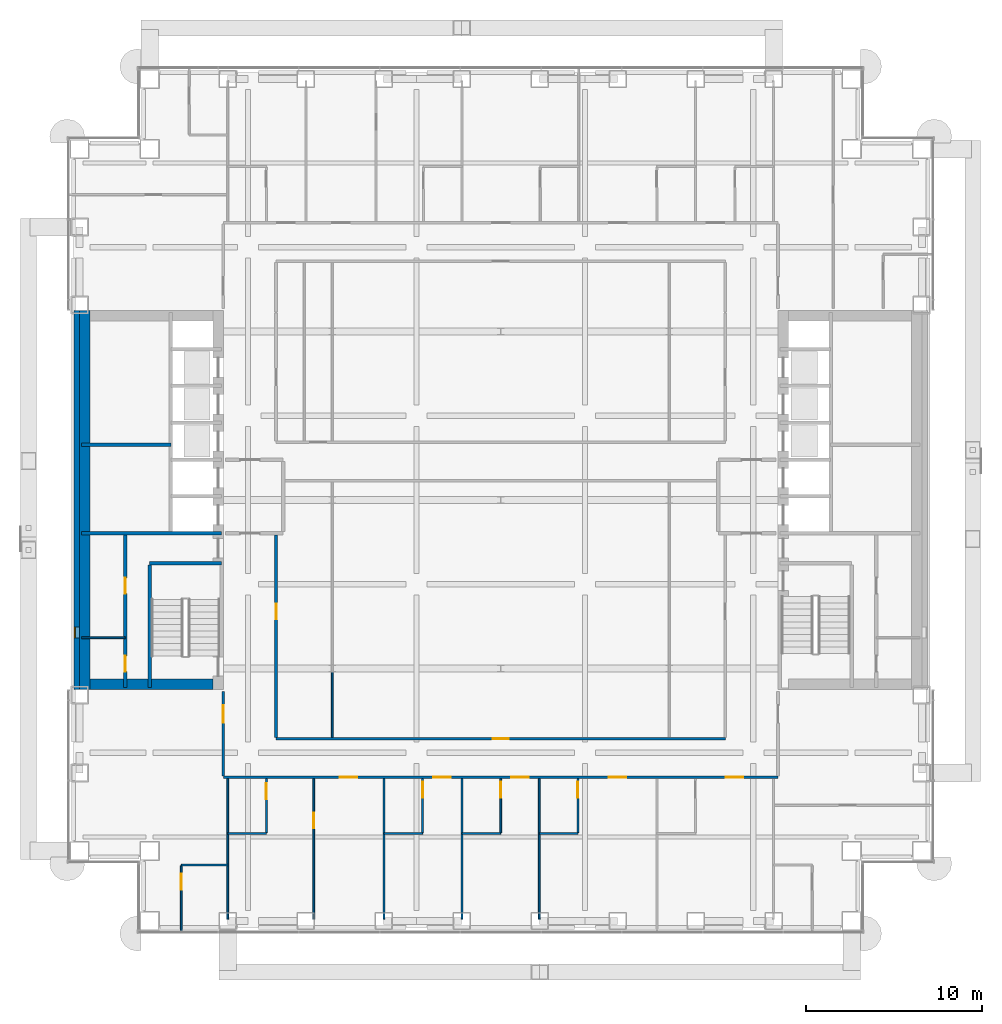
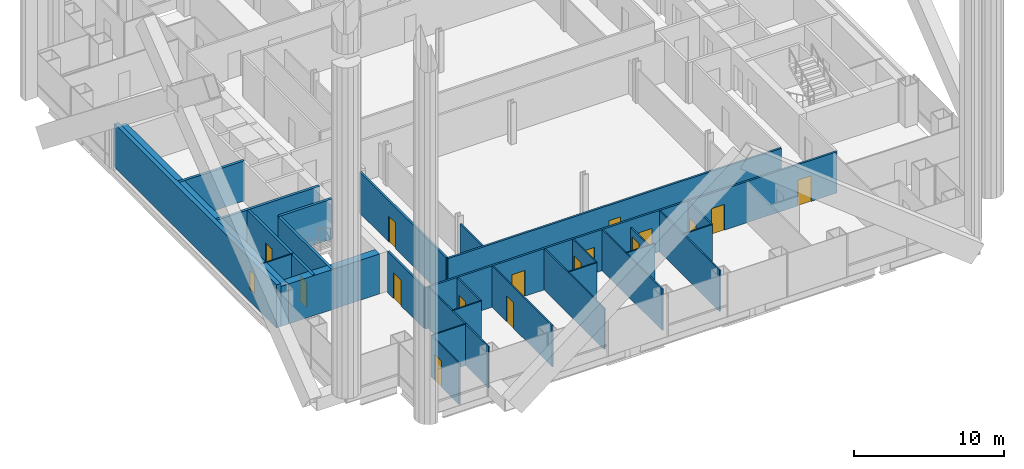
# One storey, part 18 of 28: 29 walls, 16 doors, 1 window, 17 openings.
"""IFC4 building model written with IfcOpenShell, lengths in metres."""

import ifcopenshell
import ifcopenshell.guid

model = None  # the IFC model being written
_history = None  # IfcOwnerHistory: only IFC2X3 demands one
_inside = {}  # id of a spatial element -> (the spatial element, [elements in it])
_under = {}  # id of a project, library or spatial element -> (it, [spatial elements below it])
_declared = {}  # id of a project -> (the project, [libraries it declares])
_typed = {}  # id of a type object -> (the type object, [elements of that type])
_made_of = {}  # id of a material, layer set ... -> (it, [elements and type objects made of it])


def new_model(schema):
    """Start an empty IFC model of exactly this schema.

    Asked for "IFC4X3", IfcOpenShell would pick the latest addendum, in which some entities
    have other attributes; the version numbers below select the first issue.
    IFC2X3 requires an IfcOwnerHistory on every rooted entity: one is made here for all.
    """
    global model, _history
    if schema == "IFC4X3":
        model = ifcopenshell.file(schema_version=(4, 3, 0, 0))
    else:
        model = ifcopenshell.file(schema=schema)
    _inside.clear()
    _under.clear()
    _declared.clear()
    _typed.clear()
    _made_of.clear()
    _history = None
    if model.schema == "IFC2X3":
        org = make("IfcOrganization", Name="unknown")
        user = make(
            "IfcPersonAndOrganization",
            ThePerson=make("IfcPerson", FamilyName="unknown"),
            TheOrganization=org,
        )
        app = make(
            "IfcApplication",
            ApplicationDeveloper=org,
            Version="unknown",
            ApplicationFullName="unknown",
            ApplicationIdentifier="unknown",
        )
        _history = make(
            "IfcOwnerHistory",
            OwningUser=user,
            OwningApplication=app,
            ChangeAction="ADDED",
            CreationDate=0,
        )
    return model


def make(cls, **values):
    """One entity of the class cls with the attributes given. An attribute that is None is left unset."""
    return model.create_entity(
        cls, **{name: value for name, value in values.items() if value is not None}
    )


def rooted(cls, **values):
    """An entity with a GlobalId (a new one), such as an element, a storey or a relation."""
    return make(cls, GlobalId=ifcopenshell.guid.new(), OwnerHistory=_history, **values)


def si_unit(unit_type, name, prefix=None):
    """IfcSIUnit, for example si_unit("LENGTHUNIT", "METRE", prefix="MILLI")."""
    return make("IfcSIUnit", UnitType=unit_type, Prefix=prefix, Name=name)


def assignment(units):
    """IfcUnitAssignment: the units of a project."""
    return None if units is None else make("IfcUnitAssignment", Units=units)


def point(xyz):
    """IfcCartesianPoint."""
    return None if xyz is None else make("IfcCartesianPoint", Coordinates=xyz)


def direction(xyz):
    """IfcDirection."""
    return None if xyz is None else make("IfcDirection", DirectionRatios=xyz)


def frame(location, z_axis=None, x_axis=None):
    """IfcAxis2Placement3D, a coordinate frame: its origin and axes. An axis left out is left unset."""
    return make(
        "IfcAxis2Placement3D",
        Location=point(location),
        Axis=direction(z_axis),
        RefDirection=direction(x_axis),
    )


def frame_2d(location, x_axis=None):
    """IfcAxis2Placement2D, a coordinate frame in the plane: its origin and x axis."""
    return make(
        "IfcAxis2Placement2D", Location=point(location), RefDirection=direction(x_axis)
    )


def origin():
    """The frame at (0, 0, 0) with its axes left unset."""
    return frame((0.0, 0.0, 0.0))


def place(relative_to, where):
    """IfcLocalPlacement: puts the frame where relative to a parent placement (None: the world)."""
    return make(
        "IfcLocalPlacement", PlacementRelTo=relative_to, RelativePlacement=where
    )


def context(
    kind, dimensions, precision=None, world=None, true_north=None, identifier=None
):
    """IfcGeometricRepresentationContext, for example the 3D "Model" context."""
    return make(
        "IfcGeometricRepresentationContext",
        ContextIdentifier=identifier,
        ContextType=kind,
        CoordinateSpaceDimension=dimensions,
        Precision=precision,
        WorldCoordinateSystem=world,
        TrueNorth=true_north,
    )


def subcontext(parent, identifier, kind, view, scale=None):
    """IfcGeometricRepresentationSubContext, for example "Body" below "Model"."""
    return make(
        "IfcGeometricRepresentationSubContext",
        ContextIdentifier=identifier,
        ContextType=kind,
        ParentContext=parent,
        TargetScale=scale,
        TargetView=view,
    )


def project(units=None, contexts=None):
    """IfcProject with its units and contexts."""
    return rooted(
        "IfcProject",
        Name="project",
        RepresentationContexts=contexts,
        UnitsInContext=assignment(units),
    )


def spatial(cls, under=None, at=None, **own):
    """A site, building, storey or space (cls), placed at a placement, below another one or the project."""
    s = rooted(cls, ObjectPlacement=at, **own)
    if under is not None:
        _under.setdefault(under.id(), (under, []))[1].append(s)
    return s


def profile(cls, at=None, kind="AREA", **sizes):
    """A parametric profile (cls). Its sizes go by their IFC names, for example OverallWidth=200.0."""
    return make(cls, ProfileType=kind, Position=at, **sizes)


def rectangle(**sizes):
    """IfcRectangleProfileDef."""
    return profile("IfcRectangleProfileDef", **sizes)


def extrude(swept, where, along, depth):
    """IfcExtrudedAreaSolid: the profile swept, set in the frame where, extruded along a direction by depth."""
    return make(
        "IfcExtrudedAreaSolid",
        SweptArea=swept,
        Position=where,
        ExtrudedDirection=direction(along),
        Depth=depth,
    )


def shape(context_of_items, identifier, shape_type, items):
    """IfcShapeRepresentation: the items that make up one representation, for example the "Body"."""
    return make(
        "IfcShapeRepresentation",
        ContextOfItems=context_of_items,
        RepresentationIdentifier=identifier,
        RepresentationType=shape_type,
        Items=items,
    )


def material(Name=None, Category=None):
    """IfcMaterial."""
    return make("IfcMaterial", Name=Name, Category=Category)


def layer(
    of_material, thickness, ventilated=None, Name=None, Category=None, Priority=None
):
    """IfcMaterialLayer: one layer of a wall or slab, of a material (None: an air gap)."""
    return make(
        "IfcMaterialLayer",
        Material=of_material,
        LayerThickness=thickness,
        IsVentilated=ventilated,
        Name=Name,
        Category=Category,
        Priority=Priority,
    )


def layer_set(layers, Name=None):
    """IfcMaterialLayerSet."""
    return make("IfcMaterialLayerSet", MaterialLayers=layers, LayerSetName=Name)


def made_of(thing, what):
    """Note that an element or type object is made of a material, layer set ...; save() writes the relation."""
    if what is not None:
        _made_of.setdefault(what.id(), (what, []))[1].append(thing)
    return thing


def type_object(cls, material=None, **own):
    """A type object (cls), such as IfcWallType, which elements share."""
    return made_of(rooted(cls, **own), material)


def element(
    cls,
    number,
    at=None,
    inside=None,
    cuts=None,
    type_object=None,
    material=None,
    context=None,
    identifier="Body",
    shape_type=None,
    held_by="IfcProductDefinitionShape",
    body=None,
    shapes=None,
    **own,
):
    """One element of the class cls, such as IfcWall. Its Tag is "e" and its number.

    at: its placement. inside: the storey or other place that contains it. cuts: it is an
    opening in that element (IfcRelVoidsElement). A single representation is given by context,
    identifier, shape_type and body (its items); several are given by shapes. held_by: the class
    of the entity that holds the representations. save() writes the other relations.
    """
    e = rooted(cls, Tag="e%d" % number, ObjectPlacement=at, **own)
    if body is not None:
        shapes = [shape(context, identifier, shape_type, body)]
    if shapes is not None:
        e.Representation = make(held_by, Representations=shapes)
    if inside is not None:
        _inside.setdefault(inside.id(), (inside, []))[1].append(e)
    if cuts is not None:
        rooted(
            "IfcRelVoidsElement", RelatingBuildingElement=cuts, RelatedOpeningElement=e
        )
    if type_object is not None:
        _typed.setdefault(type_object.id(), (type_object, []))[1].append(e)
    return made_of(e, material)


def fill(opening, filler):
    """IfcRelFillsElement: the door or window that sits in an opening."""
    return rooted(
        "IfcRelFillsElement",
        RelatingOpeningElement=opening,
        RelatedBuildingElement=filler,
    )


def aggregate(whole, parts):
    """IfcRelAggregates: a whole, such as a stair, and the parts it consists of."""
    return rooted("IfcRelAggregates", RelatingObject=whole, RelatedObjects=parts)


def save(model, path):
    """Write the relations noted so far, then the file.

    IfcRelAggregates (storeys below a building ...), IfcRelContainedInSpatialStructure (elements
    in a storey), IfcRelDefinesByType, IfcRelAssociatesMaterial and IfcRelDeclares: one each for
    every whole, place, type object, material and project.
    """
    for whole, parts in _under.values():
        aggregate(whole, parts)
    for where, things in _inside.values():
        rooted(
            "IfcRelContainedInSpatialStructure",
            RelatedElements=things,
            RelatingStructure=where,
        )
    for kind, things in _typed.values():
        rooted("IfcRelDefinesByType", RelatedObjects=things, RelatingType=kind)
    for what, things in _made_of.values():
        rooted("IfcRelAssociatesMaterial", RelatedObjects=things, RelatingMaterial=what)
    for by, libraries in _declared.values():
        rooted("IfcRelDeclares", RelatingContext=by, RelatedDefinitions=libraries)
    model.write(path)


model = new_model("IFC4")

# Units and contexts
model_context = context("Model", 3, precision=1e-05, world=origin(), true_north=direction((0.0, 1.0)))
body_context = subcontext(model_context, "Body", "Model", "MODEL_VIEW")
ifc_project = project(units=[si_unit("LENGTHUNIT", "METRE"), si_unit("AREAUNIT", "SQUARE_METRE"), si_unit("VOLUMEUNIT", "CUBIC_METRE"), si_unit("PLANEANGLEUNIT", "RADIAN"), si_unit("MASSUNIT", "GRAM", prefix="KILO")], contexts=[model_context])

# Site, building, storey
site_placement = place(None, origin())
site = spatial("IfcSite", under=ifc_project, at=site_placement, CompositionType="ELEMENT")
building_placement = place(site_placement, origin())
building = spatial("IfcBuilding", under=site, at=building_placement, Name="Cobrizo Arcos Hotel Tower", CompositionType="ELEMENT")
storey_placement = place(building_placement, frame((0.0, 0.0, 39.0)))
storey = spatial("IfcBuildingStorey", under=building, at=storey_placement, Name="L07", CompositionType="ELEMENT", Elevation=39.0)

# Wall, openings, doors
ifc_material_1 = material(Name="Gypsum board partition")
ifc_layer_1 = layer(ifc_material_1, 0.14990234375)
ifc_layer_set_1 = layer_set([ifc_layer_1], Name="Corridor wall EI 60 150")
wall_type_1 = type_object("IfcWallType", Name="Corridor wall EI 60 150", PredefinedType="PARTITIONING", material=ifc_layer_set_1)
wall_1_placement = place(storey_placement, frame((-15.800048828125, -15.800048828125, 0.0), z_axis=(0.0, 0.0, 1.0), x_axis=(1.0, 0.0, 0.0)))
wall_1 = element("IfcWall", 1, at=wall_1_placement, inside=storey, type_object=wall_type_1, Name="Partition 009", PredefinedType="PARTITIONING", context=body_context, shape_type="SweptSolid", body=[
    extrude(rectangle(XDim=31.60009765625, YDim=0.14990234375, at=frame_2d((15.800048828125, 0.0))), origin(), (0.0, 0.0, 1.0), 3.35009765625),
])
opening_1_placement = place(wall_1_placement, frame((6.633056640625, 0.0, 0.0)))
opening_1 = element("IfcOpeningElement", 2, at=opening_1_placement, cuts=wall_1, Name="Opening GD-06", PredefinedType="OPENING", context=body_context, shape_type="SweptSolid", body=[
    extrude(rectangle(XDim=1.0, YDim=2.10009765625, at=frame_2d((0.5, 1.050048828125))), frame((0.0, 0.0869140625, 0.0), z_axis=(0.0, -1.0, 0.0), x_axis=(1.0, 0.0, 0.0)), (0.0, 0.0, 1.0), 0.173828125),
])
opening_2_placement = place(wall_1_placement, frame((11.9560546875, 0.0, 0.0)))
opening_2 = element("IfcOpeningElement", 3, at=opening_2_placement, cuts=wall_1, Name="Opening GD-07", PredefinedType="OPENING", context=body_context, shape_type="SweptSolid", body=[
    extrude(rectangle(XDim=1.0, YDim=2.10009765625, at=frame_2d((0.5, 1.050048828125))), frame((0.0, 0.0869140625, 0.0), z_axis=(0.0, -1.0, 0.0), x_axis=(1.0, 0.0, 0.0)), (0.0, 0.0, 1.0), 0.173828125),
])
opening_3_placement = place(wall_1_placement, frame((16.39990234375, 0.0, 0.0)))
opening_3 = element("IfcOpeningElement", 4, at=opening_3_placement, cuts=wall_1, Name="Opening GD-08", PredefinedType="OPENING", context=body_context, shape_type="SweptSolid", body=[
    extrude(rectangle(XDim=1.0, YDim=2.10009765625, at=frame_2d((0.5, 1.050048828125))), frame((0.0, 0.0869140625, 0.0), z_axis=(0.0, -1.0, 0.0), x_axis=(1.0, 0.0, 0.0)), (0.0, 0.0, 1.0), 0.173828125),
])
opening_4_placement = place(wall_1_placement, frame((21.9560546875, 0.0, 0.0)))
opening_4 = element("IfcOpeningElement", 5, at=opening_4_placement, cuts=wall_1, Name="Opening GD-09", PredefinedType="OPENING", context=body_context, shape_type="SweptSolid", body=[
    extrude(rectangle(XDim=1.0, YDim=2.10009765625, at=frame_2d((0.5, 1.050048828125))), frame((0.0, 0.0869140625, 0.0), z_axis=(0.0, -1.0, 0.0), x_axis=(1.0, 0.0, 0.0)), (0.0, 0.0, 1.0), 0.173828125),
])
opening_5_placement = place(wall_1_placement, frame((28.623046875, 0.0, 0.0)))
opening_5 = element("IfcOpeningElement", 6, at=opening_5_placement, cuts=wall_1, Name="Opening GD-10", PredefinedType="OPENING", context=body_context, shape_type="SweptSolid", body=[
    extrude(rectangle(XDim=1.0, YDim=2.10009765625, at=frame_2d((0.5, 1.050048828125))), frame((0.0, 0.0869140625, 0.0), z_axis=(0.0, -1.0, 0.0), x_axis=(1.0, 0.0, 0.0)), (0.0, 0.0, 1.0), 0.173828125),
])
ifc_material_2 = material(Name="Timber door leaf", Category="wood")
door_type_1 = type_object("IfcDoorType", Name="Guest room door FD30S 1000x2100", OperationType="SINGLE_SWING_LEFT", PredefinedType="DOOR", material=ifc_material_2)
door_1_placement = place(opening_1_placement, origin())
door_1 = element("IfcDoor", 7, at=door_1_placement, inside=storey, type_object=door_type_1, Name="Door GD-06", OperationType="SINGLE_SWING_LEFT", OverallHeight=2.10009765625, OverallWidth=1.0, PredefinedType="DOOR", context=body_context, shape_type="SweptSolid", body=[
    extrude(rectangle(XDim=1.0, YDim=2.10009765625, at=frame_2d((0.5, 1.050048828125))), frame((0.0, 0.02490234375, 0.0), z_axis=(0.0, -1.0, 0.0), x_axis=(1.0, 0.0, 0.0)), (0.0, 0.0, 1.0), 0.050048828125),
])
fill(opening_1, door_1)
door_2_placement = place(opening_2_placement, origin())
door_2 = element("IfcDoor", 8, at=door_2_placement, inside=storey, type_object=door_type_1, Name="Door GD-07", OperationType="SINGLE_SWING_LEFT", OverallHeight=2.10009765625, OverallWidth=1.0, PredefinedType="DOOR", context=body_context, shape_type="SweptSolid", body=[
    extrude(rectangle(XDim=1.0, YDim=2.10009765625, at=frame_2d((0.5, 1.050048828125))), frame((0.0, 0.02490234375, 0.0), z_axis=(0.0, -1.0, 0.0), x_axis=(1.0, 0.0, 0.0)), (0.0, 0.0, 1.0), 0.050048828125),
])
fill(opening_2, door_2)
door_3_placement = place(opening_3_placement, origin())
door_3 = element("IfcDoor", 9, at=door_3_placement, inside=storey, type_object=door_type_1, Name="Door GD-08", OperationType="SINGLE_SWING_LEFT", OverallHeight=2.10009765625, OverallWidth=1.0, PredefinedType="DOOR", context=body_context, shape_type="SweptSolid", body=[
    extrude(rectangle(XDim=1.0, YDim=2.10009765625, at=frame_2d((0.5, 1.050048828125))), frame((0.0, 0.02490234375, 0.0), z_axis=(0.0, -1.0, 0.0), x_axis=(1.0, 0.0, 0.0)), (0.0, 0.0, 1.0), 0.050048828125),
])
fill(opening_3, door_3)
door_4_placement = place(opening_4_placement, origin())
door_4 = element("IfcDoor", 10, at=door_4_placement, inside=storey, type_object=door_type_1, Name="Door GD-09", OperationType="SINGLE_SWING_RIGHT", OverallHeight=2.10009765625, OverallWidth=1.0, PredefinedType="DOOR", context=body_context, shape_type="SweptSolid", body=[
    extrude(rectangle(XDim=1.0, YDim=2.10009765625, at=frame_2d((0.5, 1.050048828125))), frame((0.0, 0.02490234375, 0.0), z_axis=(0.0, -1.0, 0.0), x_axis=(1.0, 0.0, 0.0)), (0.0, 0.0, 1.0), 0.050048828125),
])
fill(opening_4, door_4)
door_5_placement = place(opening_5_placement, origin())
door_5 = element("IfcDoor", 11, at=door_5_placement, inside=storey, type_object=door_type_1, Name="Door GD-10", OperationType="SINGLE_SWING_LEFT", OverallHeight=2.10009765625, OverallWidth=1.0, PredefinedType="DOOR", context=body_context, shape_type="SweptSolid", body=[
    extrude(rectangle(XDim=1.0, YDim=2.10009765625, at=frame_2d((0.5, 1.050048828125))), frame((0.0, 0.02490234375, 0.0), z_axis=(0.0, -1.0, 0.0), x_axis=(1.0, 0.0, 0.0)), (0.0, 0.0, 1.0), 0.050048828125),
])
fill(opening_5, door_5)

# Wall, opening, door
wall_2_placement = place(storey_placement, frame((-12.800048828125, -13.60009765625, 0.0), z_axis=(0.0, 0.0, 1.0), x_axis=(1.0, 0.0, 0.0)))
wall_2 = element("IfcWall", 12, at=wall_2_placement, inside=storey, type_object=wall_type_1, Name="Partition 010", PredefinedType="PARTITIONING", context=body_context, shape_type="SweptSolid", body=[
    extrude(rectangle(XDim=25.60009765625, YDim=0.14990234375, at=frame_2d((12.800048828125, 0.0))), origin(), (0.0, 0.0, 1.0), 3.35009765625),
])
opening_6_placement = place(wall_2_placement, frame((12.35009765625, 0.0, 0.0)))
opening_6 = element("IfcOpeningElement", 13, at=opening_6_placement, cuts=wall_2, Name="Opening RD-13", PredefinedType="OPENING", context=body_context, shape_type="SweptSolid", body=[
    extrude(rectangle(XDim=0.89990234375, YDim=2.10009765625, at=frame_2d((0.449951171875, 1.050048828125))), frame((0.0, 0.0869140625, 0.0), z_axis=(0.0, -1.0, 0.0), x_axis=(1.0, 0.0, 0.0)), (0.0, 0.0, 1.0), 0.173828125),
])
door_type_2 = type_object("IfcDoorType", Name="Room door FD30 900x2100", OperationType="SINGLE_SWING_LEFT", PredefinedType="DOOR", material=ifc_material_2)
door_6_placement = place(opening_6_placement, origin())
door_6 = element("IfcDoor", 14, at=door_6_placement, inside=storey, type_object=door_type_2, Name="Door RD-13", OperationType="SINGLE_SWING_LEFT", OverallHeight=2.10009765625, OverallWidth=0.89990234375, PredefinedType="DOOR", context=body_context, shape_type="SweptSolid", body=[
    extrude(rectangle(XDim=0.89990234375, YDim=2.10009765625, at=frame_2d((0.449951171875, 1.050048828125))), frame((0.0, 0.02490234375, 0.0), z_axis=(0.0, -1.0, 0.0), x_axis=(1.0, 0.0, 0.0)), (0.0, 0.0, 1.0), 0.050048828125),
])
fill(opening_6, door_6)

wall_3_placement = place(storey_placement, frame((-15.800048828125, -15.72509765625, 0.0), z_axis=(0.0, 0.0, 1.0), x_axis=(0.0, 1.0, 0.0)))
wall_3 = element("IfcWall", 15, at=wall_3_placement, inside=storey, type_object=wall_type_1, Name="Partition 050", PredefinedType="PARTITIONING", context=body_context, shape_type="SweptSolid", body=[
    extrude(rectangle(XDim=4.80517578125, YDim=0.14990234375, at=frame_2d((2.402587890625, 0.0))), origin(), (0.0, 0.0, 1.0), 3.35009765625),
])
opening_7_placement = place(wall_3_placement, frame((3.02490234375, 0.0, 0.0)))
opening_7 = element("IfcOpeningElement", 16, at=opening_7_placement, cuts=wall_3, Name="Opening GD-11", PredefinedType="OPENING", context=body_context, shape_type="SweptSolid", body=[
    extrude(rectangle(XDim=1.0, YDim=2.10009765625, at=frame_2d((0.5, 1.050048828125))), frame((0.0, 0.0869140625, 0.0), z_axis=(0.0, -1.0, 0.0), x_axis=(1.0, 0.0, 0.0)), (0.0, 0.0, 1.0), 0.173828125),
])
door_7_placement = place(opening_7_placement, origin())
door_7 = element("IfcDoor", 17, at=door_7_placement, inside=storey, type_object=door_type_1, Name="Door GD-11", OperationType="SINGLE_SWING_RIGHT", OverallHeight=2.10009765625, OverallWidth=1.0, PredefinedType="DOOR", context=body_context, shape_type="SweptSolid", body=[
    extrude(rectangle(XDim=1.0, YDim=2.10009765625, at=frame_2d((0.5, 1.050048828125))), frame((0.0, 0.02490234375, 0.0), z_axis=(0.0, -1.0, 0.0), x_axis=(1.0, 0.0, 0.0)), (0.0, 0.0, 1.0), 0.050048828125),
])
fill(opening_7, door_7)

wall_4_placement = place(storey_placement, frame((-12.800048828125, -13.52490234375, 0.0), z_axis=(0.0, 0.0, 1.0), x_axis=(0.0, 1.0, 0.0)))
wall_4 = element("IfcWall", 18, at=wall_4_placement, inside=storey, type_object=wall_type_1, Name="Partition 056", PredefinedType="PARTITIONING", context=body_context, shape_type="SweptSolid", body=[
    extrude(rectangle(XDim=11.52490234375, YDim=0.14990234375, at=frame_2d((5.762451171875, 0.0))), origin(), (0.0, 0.0, 1.0), 3.35009765625),
])
opening_8_placement = place(wall_4_placement, frame((6.72509765625, 0.0, 0.0)))
opening_8 = element("IfcOpeningElement", 19, at=opening_8_placement, cuts=wall_4, Name="Opening RD-10", PredefinedType="OPENING", context=body_context, shape_type="SweptSolid", body=[
    extrude(rectangle(XDim=0.89990234375, YDim=2.10009765625, at=frame_2d((0.449951171875, 1.050048828125))), frame((0.0, 0.0869140625, 0.0), z_axis=(0.0, -1.0, 0.0), x_axis=(1.0, 0.0, 0.0)), (0.0, 0.0, 1.0), 0.173828125),
])
door_8_placement = place(opening_8_placement, origin())
door_8 = element("IfcDoor", 20, at=door_8_placement, inside=storey, type_object=door_type_2, Name="Door RD-10", OperationType="SINGLE_SWING_RIGHT", OverallHeight=2.10009765625, OverallWidth=0.89990234375, PredefinedType="DOOR", context=body_context, shape_type="SweptSolid", body=[
    extrude(rectangle(XDim=0.89990234375, YDim=2.10009765625, at=frame_2d((0.449951171875, 1.050048828125))), frame((0.0, 0.02490234375, 0.0), z_axis=(0.0, -1.0, 0.0), x_axis=(1.0, 0.0, 0.0)), (0.0, 0.0, 1.0), 0.050048828125),
])
fill(opening_8, door_8)

# Wall, opening, window
ifc_material_3 = material(Name="Aluminium composite panel pale metal", Category="aluminium")
ifc_layer_2 = layer(ifc_material_3, 0.324951171875)
ifc_layer_set_2 = layer_set([ifc_layer_2], Name="EW-1 insulated panel wall 325")
wall_type_2 = type_object("IfcWallType", Name="EW-1 insulated panel wall 325", PredefinedType="SOLIDWALL", material=ifc_layer_set_2)
wall_5_placement = place(storey_placement, frame((-24.16259765625, 10.800048828125, 0.0), z_axis=(0.0, 0.0, 1.0), x_axis=(0.0, -1.0, 0.0)))
wall_5 = element("IfcWall", 21, at=wall_5_placement, inside=storey, type_object=wall_type_2, Name="Core face wall L07 W", PredefinedType="SOLIDWALL", context=body_context, shape_type="SweptSolid", body=[
    extrude(rectangle(XDim=21.60009765625, YDim=0.324951171875, at=frame_2d((10.800048828125, 0.0))), origin(), (0.0, 0.0, 1.0), 3.5),
])
opening_9_placement = place(wall_5_placement, frame((18.050048828125, 0.0, 1.0)))
opening_9 = element("IfcOpeningElement", 22, at=opening_9_placement, cuts=wall_5, Name="Opening W-10", PredefinedType="OPENING", context=body_context, shape_type="SweptSolid", body=[
    extrude(rectangle(XDim=0.60009765625, YDim=1.5, at=frame_2d((0.300048828125, 0.75))), frame((0.0, 0.174560546875, 0.0), z_axis=(0.0, -1.0, 0.0), x_axis=(1.0, 0.0, 0.0)), (0.0, 0.0, 1.0), 0.348876953125),
])
ifc_material_4 = material(Name="Aluminium 6063-T6 and clear laminated glass", Category="aluminium")
window_type = type_object("IfcWindowType", Name="W-C1 core stair slot window 600x1500", PartitioningType="SINGLE_PANEL", PredefinedType="WINDOW", material=ifc_material_4)
window_placement = place(opening_9_placement, origin())
window = element("IfcWindow", 23, at=window_placement, inside=storey, type_object=window_type, Name="Core face wall L07 W window W-10", OverallHeight=1.5, OverallWidth=0.60009765625, PartitioningType="SINGLE_PANEL", PredefinedType="WINDOW", context=body_context, shape_type="SweptSolid", body=[
    extrude(rectangle(XDim=0.60009765625, YDim=1.5, at=frame_2d((0.300048828125, 0.75))), frame((0.0, -0.072509765625, 0.0), z_axis=(0.0, -1.0, 0.0), x_axis=(1.0, 0.0, 0.0)), (0.0, 0.0, 1.0), 0.06005859375),
])
fill(opening_9, window)

# Walls
ifc_layer_3 = layer(ifc_material_1, 0.10009765625)
ifc_layer_set_3 = layer_set([ifc_layer_3], Name="Partition EI 30 100")
wall_type_3 = type_object("IfcWallType", Name="Partition EI 30 100", PredefinedType="PARTITIONING", material=ifc_layer_set_3)
wall_6_placement = place(storey_placement, frame((-18.199951171875, -20.800048828125, 0.0), z_axis=(0.0, 0.0, 1.0), x_axis=(1.0, 0.0, 0.0)))
element("IfcWall", 24, at=wall_6_placement, inside=storey, type_object=wall_type_3, Name="Partition 001", PredefinedType="PARTITIONING", context=body_context, shape_type="SweptSolid", body=[
    extrude(rectangle(XDim=2.64990234375, YDim=0.10009765625, at=frame_2d((1.324951171875, 0.0))), origin(), (0.0, 0.0, 1.0), 3.35009765625),
])
for number, where, z_axis, x_axis, name in (
    (25, (-15.550048828125, -19.0, 0.0), (0.0, 0.0, 1.0), (1.0, 0.0, 0.0), "Partition 003"),
    (26, (-6.64990234375, -19.0, 0.0), (0.0, 0.0, 1.0), (1.0, 0.0, 0.0), "Partition 004"),
    (27, (-2.199951171875, -19.0, 0.0), (0.0, 0.0, 1.0), (1.0, 0.0, 0.0), "Partition 005"),
    (28, (2.199951171875, -19.0, 0.0), (0.0, 0.0, 1.0), (1.0, 0.0, 0.0), "Partition 006"),
):
    element("IfcWall", number, at=place(storey_placement, frame(where, z_axis=z_axis, x_axis=x_axis)), inside=storey, type_object=wall_type_3, Name=name, PredefinedType="PARTITIONING", context=body_context, shape_type="SweptSolid", body=[
        extrude(rectangle(XDim=2.199951171875, YDim=0.10009765625, at=frame_2d((1.10009765625, 0.0))), origin(), (0.0, 0.0, 1.0), 3.35009765625),
    ])
wall_7_placement = place(storey_placement, frame((-23.8798828125, -7.85009765625, 0.0), z_axis=(0.0, 0.0, 1.0), x_axis=(1.0, 0.0, 0.0)))
element("IfcWall", 29, at=wall_7_placement, inside=storey, type_object=wall_type_3, Name="Partition 011", PredefinedType="PARTITIONING", context=body_context, shape_type="SweptSolid", body=[
    extrude(rectangle(XDim=2.47998046875, YDim=0.10009765625, at=frame_2d((1.239990234375, 0.0))), origin(), (0.0, 0.0, 1.0), 3.25),
])

# Wall, opening, door
wall_8_placement = place(storey_placement, frame((-18.199951171875, -24.580078125, 0.0), z_axis=(0.0, 0.0, 1.0), x_axis=(0.0, 1.0, 0.0)))
wall_8 = element("IfcWall", 30, at=wall_8_placement, inside=storey, type_object=wall_type_3, Name="Partition 048", PredefinedType="PARTITIONING", context=body_context, shape_type="SweptSolid", body=[
    extrude(rectangle(XDim=3.72998046875, YDim=0.10009765625, at=frame_2d((1.864990234375, 0.0))), origin(), (0.0, 0.0, 1.0), 3.35009765625),
])
opening_10_placement = place(wall_8_placement, frame((2.3701171875, 0.0, 0.0)))
opening_10 = element("IfcOpeningElement", 31, at=opening_10_placement, cuts=wall_8, Name="Opening ED-12", PredefinedType="OPENING", context=body_context, shape_type="SweptSolid", body=[
    extrude(rectangle(XDim=0.89990234375, YDim=2.10009765625, at=frame_2d((0.449951171875, 1.050048828125))), frame((0.0, 0.06201171875, 0.0), z_axis=(0.0, -1.0, 0.0), x_axis=(1.0, 0.0, 0.0)), (0.0, 0.0, 1.0), 0.1240234375),
])
door_type_3 = type_object("IfcDoorType", Name="En-suite door 900x2100", OperationType="SINGLE_SWING_LEFT", PredefinedType="DOOR", material=ifc_material_2)
door_9_placement = place(opening_10_placement, origin())
door_9 = element("IfcDoor", 32, at=door_9_placement, inside=storey, type_object=door_type_3, Name="Door ED-12", OperationType="SINGLE_SWING_LEFT", OverallHeight=2.10009765625, OverallWidth=0.89990234375, PredefinedType="DOOR", context=body_context, shape_type="SweptSolid", body=[
    extrude(rectangle(XDim=0.89990234375, YDim=2.10009765625, at=frame_2d((0.449951171875, 1.050048828125))), frame((0.0, 0.02490234375, 0.0), z_axis=(0.0, -1.0, 0.0), x_axis=(1.0, 0.0, 0.0)), (0.0, 0.0, 1.0), 0.050048828125),
])
fill(opening_10, door_9)

# Wall
wall_9_placement = place(storey_placement, frame((-15.550048828125, -23.8798828125, 0.0), z_axis=(0.0, 0.0, 1.0), x_axis=(0.0, 1.0, 0.0)))
element("IfcWall", 33, at=wall_9_placement, inside=storey, type_object=wall_type_3, Name="Partition 052", PredefinedType="PARTITIONING", context=body_context, shape_type="SweptSolid", body=[
    extrude(rectangle(XDim=8.0048828125, YDim=0.10009765625, at=frame_2d((4.00244140625, 0.0))), origin(), (0.0, 0.0, 1.0), 3.35009765625),
])

# Wall, opening, door
wall_10_placement = place(storey_placement, frame((-13.35009765625, -18.949951171875, 0.0), z_axis=(0.0, 0.0, 1.0), x_axis=(0.0, 1.0, 0.0)))
wall_10 = element("IfcWall", 34, at=wall_10_placement, inside=storey, type_object=wall_type_3, Name="Partition 054", PredefinedType="PARTITIONING", context=body_context, shape_type="SweptSolid", body=[
    extrude(rectangle(XDim=3.074951171875, YDim=0.10009765625, at=frame_2d((1.53759765625, 0.0))), origin(), (0.0, 0.0, 1.0), 3.35009765625),
])
opening_11_placement = place(wall_10_placement, frame((1.89990234375, 0.0, 0.0)))
opening_11 = element("IfcOpeningElement", 35, at=opening_11_placement, cuts=wall_10, Name="Opening ED-07", PredefinedType="OPENING", context=body_context, shape_type="SweptSolid", body=[
    extrude(rectangle(XDim=0.89990234375, YDim=2.10009765625, at=frame_2d((0.449951171875, 1.050048828125))), frame((0.0, 0.06201171875, 0.0), z_axis=(0.0, -1.0, 0.0), x_axis=(1.0, 0.0, 0.0)), (0.0, 0.0, 1.0), 0.1240234375),
])
door_10_placement = place(opening_11_placement, origin())
door_10 = element("IfcDoor", 36, at=door_10_placement, inside=storey, type_object=door_type_3, Name="Door ED-07", OperationType="SINGLE_SWING_RIGHT", OverallHeight=2.10009765625, OverallWidth=0.89990234375, PredefinedType="DOOR", context=body_context, shape_type="SweptSolid", body=[
    extrude(rectangle(XDim=0.89990234375, YDim=2.10009765625, at=frame_2d((0.449951171875, 1.050048828125))), frame((0.0, 0.02490234375, 0.0), z_axis=(0.0, -1.0, 0.0), x_axis=(1.0, 0.0, 0.0)), (0.0, 0.0, 1.0), 0.050048828125),
])
fill(opening_11, door_10)

wall_11_placement = place(storey_placement, frame((-10.64990234375, -23.8798828125, 0.0), z_axis=(0.0, 0.0, 1.0), x_axis=(0.0, 1.0, 0.0)))
wall_11 = element("IfcWall", 37, at=wall_11_placement, inside=storey, type_object=wall_type_3, Name="Partition 062", PredefinedType="PARTITIONING", context=body_context, shape_type="SweptSolid", body=[
    extrude(rectangle(XDim=8.0048828125, YDim=0.10009765625, at=frame_2d((4.00244140625, 0.0))), origin(), (0.0, 0.0, 1.0), 3.35009765625),
])
opening_12_placement = place(wall_11_placement, frame((5.169921875, 0.0, 0.0)))
opening_12 = element("IfcOpeningElement", 38, at=opening_12_placement, cuts=wall_11, Name="Opening RD-05", PredefinedType="OPENING", context=body_context, shape_type="SweptSolid", body=[
    extrude(rectangle(XDim=0.89990234375, YDim=2.10009765625, at=frame_2d((0.449951171875, 1.050048828125))), frame((0.0, 0.06201171875, 0.0), z_axis=(0.0, -1.0, 0.0), x_axis=(1.0, 0.0, 0.0)), (0.0, 0.0, 1.0), 0.1240234375),
])
door_11_placement = place(opening_12_placement, origin())
door_11 = element("IfcDoor", 39, at=door_11_placement, inside=storey, type_object=door_type_2, Name="Door RD-05", OperationType="SINGLE_SWING_LEFT", OverallHeight=2.10009765625, OverallWidth=0.89990234375, PredefinedType="DOOR", context=body_context, shape_type="SweptSolid", body=[
    extrude(rectangle(XDim=0.89990234375, YDim=2.10009765625, at=frame_2d((0.449951171875, 1.050048828125))), frame((0.0, 0.02490234375, 0.0), z_axis=(0.0, -1.0, 0.0), x_axis=(1.0, 0.0, 0.0)), (0.0, 0.0, 1.0), 0.050048828125),
])
fill(opening_12, door_11)

# Walls
wall_12_placement = place(storey_placement, frame((-9.60009765625, -13.52490234375, 0.0), z_axis=(0.0, 0.0, 1.0), x_axis=(0.0, 1.0, 0.0)))
element("IfcWall", 40, at=wall_12_placement, inside=storey, type_object=wall_type_3, Name="Partition 063", PredefinedType="PARTITIONING", context=body_context, shape_type="SweptSolid", body=[
    extrude(rectangle(XDim=3.720947265625, YDim=0.10009765625, at=frame_2d((1.8603515625, 0.0))), origin(), (0.0, 0.0, 1.0), 2.72802734375),
])
wall_13_placement = place(storey_placement, frame((-6.64990234375, -23.8798828125, 0.0), z_axis=(0.0, 0.0, 1.0), x_axis=(0.0, 1.0, 0.0)))
element("IfcWall", 41, at=wall_13_placement, inside=storey, type_object=wall_type_3, Name="Partition 072", PredefinedType="PARTITIONING", context=body_context, shape_type="SweptSolid", body=[
    extrude(rectangle(XDim=8.0048828125, YDim=0.10009765625, at=frame_2d((4.00244140625, 0.0))), origin(), (0.0, 0.0, 1.0), 3.35009765625),
])

# Wall, opening, door
wall_14_placement = place(storey_placement, frame((-4.449951171875, -18.949951171875, 0.0), z_axis=(0.0, 0.0, 1.0), x_axis=(0.0, 1.0, 0.0)))
wall_14 = element("IfcWall", 42, at=wall_14_placement, inside=storey, type_object=wall_type_3, Name="Partition 073", PredefinedType="PARTITIONING", context=body_context, shape_type="SweptSolid", body=[
    extrude(rectangle(XDim=3.074951171875, YDim=0.10009765625, at=frame_2d((1.53759765625, 0.0))), origin(), (0.0, 0.0, 1.0), 3.35009765625),
])
opening_13_placement = place(wall_14_placement, frame((1.99609375, 0.0, 0.0)))
opening_13 = element("IfcOpeningElement", 43, at=opening_13_placement, cuts=wall_14, Name="Opening ED-08", PredefinedType="OPENING", context=body_context, shape_type="SweptSolid", body=[
    extrude(rectangle(XDim=0.89990234375, YDim=2.10009765625, at=frame_2d((0.449951171875, 1.050048828125))), frame((0.0, 0.06201171875, 0.0), z_axis=(0.0, -1.0, 0.0), x_axis=(1.0, 0.0, 0.0)), (0.0, 0.0, 1.0), 0.1240234375),
])
door_12_placement = place(opening_13_placement, origin())
door_12 = element("IfcDoor", 44, at=door_12_placement, inside=storey, type_object=door_type_3, Name="Door ED-08", OperationType="SINGLE_SWING_LEFT", OverallHeight=2.10009765625, OverallWidth=0.89990234375, PredefinedType="DOOR", context=body_context, shape_type="SweptSolid", body=[
    extrude(rectangle(XDim=0.89990234375, YDim=2.10009765625, at=frame_2d((0.449951171875, 1.050048828125))), frame((0.0, 0.02490234375, 0.0), z_axis=(0.0, -1.0, 0.0), x_axis=(1.0, 0.0, 0.0)), (0.0, 0.0, 1.0), 0.050048828125),
])
fill(opening_13, door_12)

# Wall
wall_15_placement = place(storey_placement, frame((-2.199951171875, -23.8798828125, 0.0), z_axis=(0.0, 0.0, 1.0), x_axis=(0.0, 1.0, 0.0)))
element("IfcWall", 45, at=wall_15_placement, inside=storey, type_object=wall_type_3, Name="Partition 075", PredefinedType="PARTITIONING", context=body_context, shape_type="SweptSolid", body=[
    extrude(rectangle(XDim=8.0048828125, YDim=0.10009765625, at=frame_2d((4.00244140625, 0.0))), origin(), (0.0, 0.0, 1.0), 3.35009765625),
])

# Wall, opening, door
wall_16_placement = place(storey_placement, frame((0.0, -18.949951171875, 0.0), z_axis=(0.0, 0.0, 1.0), x_axis=(0.0, 1.0, 0.0)))
wall_16 = element("IfcWall", 46, at=wall_16_placement, inside=storey, type_object=wall_type_3, Name="Partition 077", PredefinedType="PARTITIONING", context=body_context, shape_type="SweptSolid", body=[
    extrude(rectangle(XDim=3.074951171875, YDim=0.10009765625, at=frame_2d((1.53759765625, 0.0))), origin(), (0.0, 0.0, 1.0), 2.72802734375),
])
opening_14_placement = place(wall_16_placement, frame((1.99609375, 0.0, 0.0)))
opening_14 = element("IfcOpeningElement", 47, at=opening_14_placement, cuts=wall_16, Name="Opening ED-09", PredefinedType="OPENING", context=body_context, shape_type="SweptSolid", body=[
    extrude(rectangle(XDim=0.89990234375, YDim=2.10009765625, at=frame_2d((0.449951171875, 1.050048828125))), frame((0.0, 0.06201171875, 0.0), z_axis=(0.0, -1.0, 0.0), x_axis=(1.0, 0.0, 0.0)), (0.0, 0.0, 1.0), 0.1240234375),
])
door_13_placement = place(opening_14_placement, origin())
door_13 = element("IfcDoor", 48, at=door_13_placement, inside=storey, type_object=door_type_3, Name="Door ED-09", OperationType="SINGLE_SWING_LEFT", OverallHeight=2.10009765625, OverallWidth=0.89990234375, PredefinedType="DOOR", context=body_context, shape_type="SweptSolid", body=[
    extrude(rectangle(XDim=0.89990234375, YDim=2.10009765625, at=frame_2d((0.449951171875, 1.050048828125))), frame((0.0, 0.02490234375, 0.0), z_axis=(0.0, -1.0, 0.0), x_axis=(1.0, 0.0, 0.0)), (0.0, 0.0, 1.0), 0.050048828125),
])
fill(opening_14, door_13)

# Wall
wall_17_placement = place(storey_placement, frame((2.199951171875, -23.8798828125, 0.0), z_axis=(0.0, 0.0, 1.0), x_axis=(0.0, 1.0, 0.0)))
element("IfcWall", 49, at=wall_17_placement, inside=storey, type_object=wall_type_3, Name="Partition 078", PredefinedType="PARTITIONING", context=body_context, shape_type="SweptSolid", body=[
    extrude(rectangle(XDim=8.0048828125, YDim=0.10009765625, at=frame_2d((4.00244140625, 0.0))), origin(), (0.0, 0.0, 1.0), 3.35009765625),
])

# Wall, opening, door
wall_18_placement = place(storey_placement, frame((4.39990234375, -18.949951171875, 0.0), z_axis=(0.0, 0.0, 1.0), x_axis=(0.0, 1.0, 0.0)))
wall_18 = element("IfcWall", 50, at=wall_18_placement, inside=storey, type_object=wall_type_3, Name="Partition 080", PredefinedType="PARTITIONING", context=body_context, shape_type="SweptSolid", body=[
    extrude(rectangle(XDim=3.074951171875, YDim=0.10009765625, at=frame_2d((1.53759765625, 0.0))), origin(), (0.0, 0.0, 1.0), 3.35009765625),
])
opening_15_placement = place(wall_18_placement, frame((1.99609375, 0.0, 0.0)))
opening_15 = element("IfcOpeningElement", 51, at=opening_15_placement, cuts=wall_18, Name="Opening ED-10", PredefinedType="OPENING", context=body_context, shape_type="SweptSolid", body=[
    extrude(rectangle(XDim=0.89990234375, YDim=2.10009765625, at=frame_2d((0.449951171875, 1.050048828125))), frame((0.0, 0.06201171875, 0.0), z_axis=(0.0, -1.0, 0.0), x_axis=(1.0, 0.0, 0.0)), (0.0, 0.0, 1.0), 0.1240234375),
])
door_14_placement = place(opening_15_placement, origin())
door_14 = element("IfcDoor", 52, at=door_14_placement, inside=storey, type_object=door_type_3, Name="Door ED-10", OperationType="SINGLE_SWING_LEFT", OverallHeight=2.10009765625, OverallWidth=0.89990234375, PredefinedType="DOOR", context=body_context, shape_type="SweptSolid", body=[
    extrude(rectangle(XDim=0.89990234375, YDim=2.10009765625, at=frame_2d((0.449951171875, 1.050048828125))), frame((0.0, 0.02490234375, 0.0), z_axis=(0.0, -1.0, 0.0), x_axis=(1.0, 0.0, 0.0)), (0.0, 0.0, 1.0), 0.050048828125),
])
fill(opening_15, door_14)

# Walls
ifc_material_5 = material(Name="Concrete f'c 60 MPa", Category="concrete")
ifc_layer_4 = layer(ifc_material_5, 0.60009765625)
ifc_layer_set_4 = layer_set([ifc_layer_4], Name="RC core wall 600 f'c 60")
wall_type_4 = type_object("IfcWallType", Name="RC core wall 600 f'c 60", PredefinedType="SHEAR", material=ifc_layer_set_4)
wall_19_placement = place(storey_placement, frame((-23.699951171875, -10.800048828125, 0.0), z_axis=(0.0, 0.0, 1.0), x_axis=(0.0, 1.0, 0.0)))
element("IfcWall", 53, at=wall_19_placement, inside=storey, type_object=wall_type_4, Name="Core wall CW1, west core, outer face, L07", PredefinedType="SHEAR", context=body_context, shape_type="SweptSolid", body=[
    extrude(rectangle(XDim=21.60009765625, YDim=0.60009765625, at=frame_2d((10.800048828125, 0.0))), origin(), (0.0, 0.0, 1.0), 3.25),
])
wall_20_placement = place(storey_placement, frame((-23.39990234375, -10.5, 0.0), z_axis=(0.0, 0.0, 1.0), x_axis=(1.0, 0.0, 0.0)))
element("IfcWall", 54, at=wall_20_placement, inside=storey, type_object=wall_type_4, Name="Core wall CW1, west core, south end, L07", PredefinedType="SHEAR", context=body_context, shape_type="SweptSolid", body=[
    extrude(rectangle(XDim=7.0, YDim=0.60009765625, at=frame_2d((3.5, 0.0))), origin(), (0.0, 0.0, 1.0), 3.25),
])
ifc_layer_5 = layer(ifc_material_1, 0.199951171875)
ifc_layer_set_5 = layer_set([ifc_layer_5], Name="Shaft wall EI 120 200")
wall_type_5 = type_object("IfcWallType", Name="Shaft wall EI 120 200", PredefinedType="PARTITIONING", material=ifc_layer_set_5)
wall_21_placement = place(storey_placement, frame((-23.8798828125, -1.89990234375, 0.0), z_axis=(0.0, 0.0, 1.0), x_axis=(1.0, 0.0, 0.0)))
element("IfcWall", 55, at=wall_21_placement, inside=storey, type_object=wall_type_5, Name="Partition 015", PredefinedType="PARTITIONING", context=body_context, shape_type="SweptSolid", body=[
    extrude(rectangle(XDim=7.9599609375, YDim=0.199951171875, at=frame_2d((3.97998046875, 0.0))), origin(), (0.0, 0.0, 1.0), 3.25),
])
wall_22_placement = place(storey_placement, frame((-23.8798828125, 3.14990234375, 0.0), z_axis=(0.0, 0.0, 1.0), x_axis=(1.0, 0.0, 0.0)))
element("IfcWall", 56, at=wall_22_placement, inside=storey, type_object=wall_type_5, Name="Partition 026", PredefinedType="PARTITIONING", context=body_context, shape_type="SweptSolid", body=[
    extrude(rectangle(XDim=5.079833984375, YDim=0.199951171875, at=frame_2d((2.5400390625, 0.0))), origin(), (0.0, 0.0, 1.0), 3.25),
])

# Wall, openings, doors
wall_23_placement = place(storey_placement, frame((-21.39990234375, -10.679931640625, 0.0), z_axis=(0.0, 0.0, 1.0), x_axis=(0.0, 1.0, 0.0)))
wall_23 = element("IfcWall", 57, at=wall_23_placement, inside=storey, type_object=wall_type_5, Name="Partition 045", PredefinedType="PARTITIONING", context=body_context, shape_type="SweptSolid", body=[
    extrude(rectangle(XDim=8.679931640625, YDim=0.199951171875, at=frame_2d((4.33984375, 0.0))), origin(), (0.0, 0.0, 1.0), 3.25),
])
opening_16_placement = place(wall_23_placement, frame((0.89892578125, 0.0, 0.0)))
opening_16 = element("IfcOpeningElement", 58, at=opening_16_placement, cuts=wall_23, Name="Opening ED-01", PredefinedType="OPENING", context=body_context, shape_type="SweptSolid", body=[
    extrude(rectangle(XDim=0.89990234375, YDim=2.10009765625, at=frame_2d((0.449951171875, 1.050048828125))), frame((0.0, 0.112060546875, 0.0), z_axis=(0.0, -1.0, 0.0), x_axis=(1.0, 0.0, 0.0)), (0.0, 0.0, 1.0), 0.223876953125),
])
opening_17_placement = place(wall_23_placement, frame((5.34912109375, 0.0, 0.0)))
opening_17 = element("IfcOpeningElement", 59, at=opening_17_placement, cuts=wall_23, Name="Opening RD-01", PredefinedType="OPENING", context=body_context, shape_type="SweptSolid", body=[
    extrude(rectangle(XDim=0.89990234375, YDim=2.10009765625, at=frame_2d((0.449951171875, 1.050048828125))), frame((0.0, 0.112060546875, 0.0), z_axis=(0.0, -1.0, 0.0), x_axis=(1.0, 0.0, 0.0)), (0.0, 0.0, 1.0), 0.223876953125),
])
door_15_placement = place(opening_16_placement, origin())
door_15 = element("IfcDoor", 60, at=door_15_placement, inside=storey, type_object=door_type_3, Name="Door ED-01", OperationType="SINGLE_SWING_RIGHT", OverallHeight=2.10009765625, OverallWidth=0.89990234375, PredefinedType="DOOR", context=body_context, shape_type="SweptSolid", body=[
    extrude(rectangle(XDim=0.89990234375, YDim=2.10009765625, at=frame_2d((0.449951171875, 1.050048828125))), frame((0.0, 0.02490234375, 0.0), z_axis=(0.0, -1.0, 0.0), x_axis=(1.0, 0.0, 0.0)), (0.0, 0.0, 1.0), 0.050048828125),
])
fill(opening_16, door_15)
door_16_placement = place(opening_17_placement, origin())
door_16 = element("IfcDoor", 61, at=door_16_placement, inside=storey, type_object=door_type_2, Name="Door RD-01", OperationType="SINGLE_SWING_LEFT", OverallHeight=2.10009765625, OverallWidth=0.89990234375, PredefinedType="DOOR", context=body_context, shape_type="SweptSolid", body=[
    extrude(rectangle(XDim=0.89990234375, YDim=2.10009765625, at=frame_2d((0.449951171875, 1.050048828125))), frame((0.0, 0.02490234375, 0.0), z_axis=(0.0, -1.0, 0.0), x_axis=(1.0, 0.0, 0.0)), (0.0, 0.0, 1.0), 0.050048828125),
])
fill(opening_17, door_16)

# Walls
ifc_material_6 = material(Name="Concrete f'c 40 MPa", Category="concrete")
ifc_layer_6 = layer(ifc_material_6, 0.199951171875)
ifc_layer_set_6 = layer_set([ifc_layer_6], Name="Stair shaft wall 200")
wall_type_6 = type_object("IfcWallType", Name="Stair shaft wall 200", PredefinedType="SHEAR", material=ifc_layer_set_6)
wall_24_placement = place(storey_placement, frame((-20.0, -3.60009765625, 0.0), z_axis=(0.0, 0.0, 1.0), x_axis=(1.0, 0.0, 0.0)))
element("IfcWall", 62, at=wall_24_placement, inside=storey, type_object=wall_type_6, Name="Stair shaft wall W", PredefinedType="SHEAR", context=body_context, shape_type="SweptSolid", body=[
    extrude(rectangle(XDim=4.080078125, YDim=0.199951171875, at=frame_2d((2.0400390625, 0.0))), origin(), (0.0, 0.0, 1.0), 3.25),
])
wall_25_placement = place(storey_placement, frame((-20.0, -10.679931640625, 0.0), z_axis=(0.0, 0.0, 1.0), x_axis=(0.0, 1.0, 0.0)))
element("IfcWall", 63, at=wall_25_placement, inside=storey, type_object=wall_type_6, Name="Stair shaft wall W", PredefinedType="SHEAR", context=body_context, shape_type="SweptSolid", body=[
    extrude(rectangle(XDim=6.97998046875, YDim=0.199951171875, at=frame_2d((3.489990234375, 0.0))), origin(), (0.0, 0.0, 1.0), 3.25),
])

save(model, "model.ifc")
